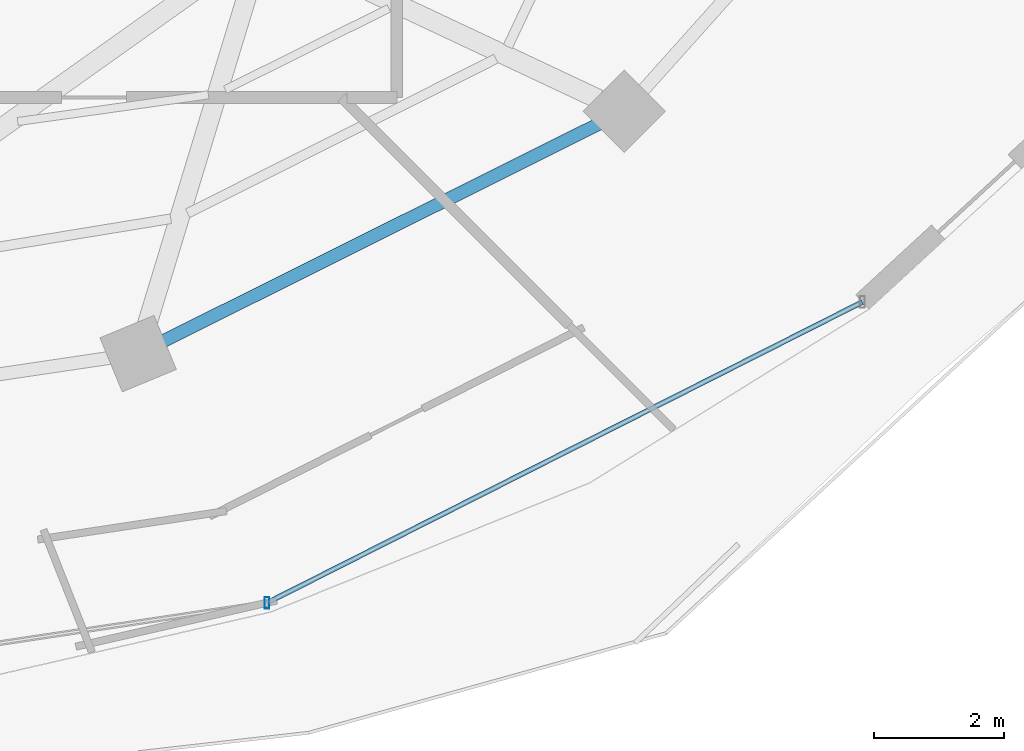
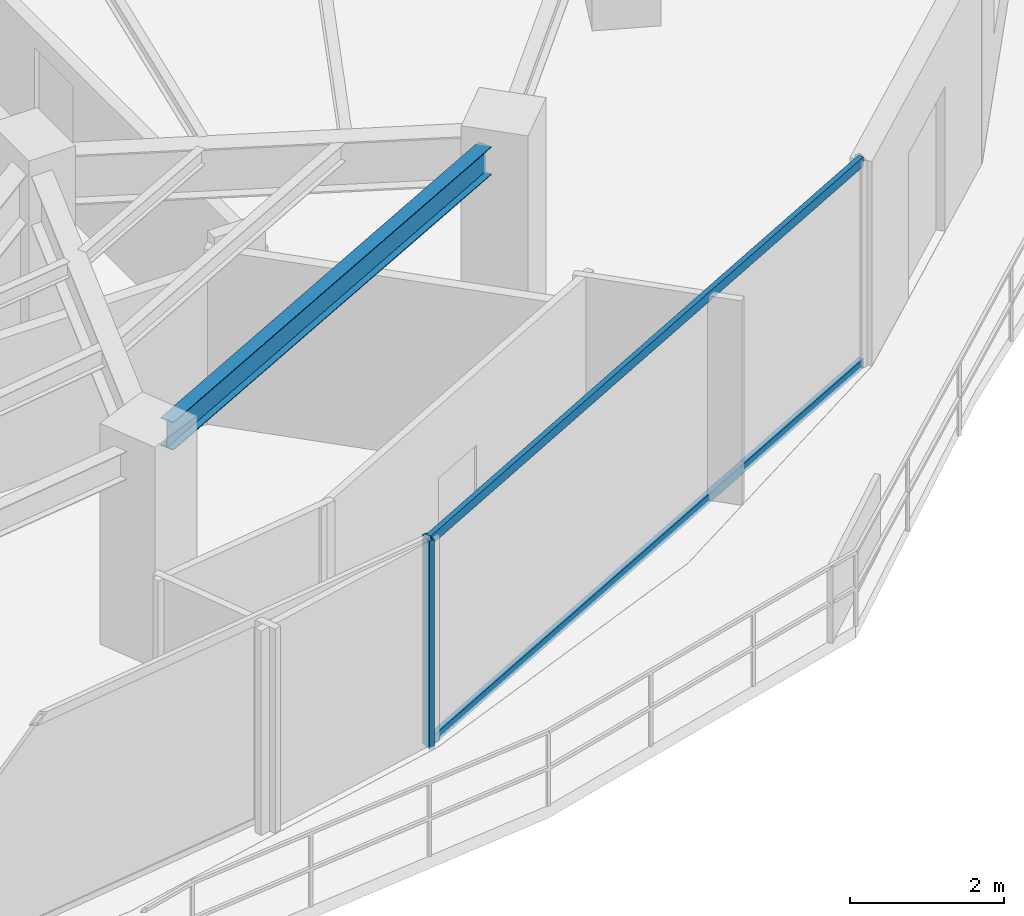
# One storey, part 11 of 33: 3 members, 1 beam, 1 element without a shape of its own.
"""IFC4 building model written with IfcOpenShell, lengths in metres."""

from ifc_helpers import new_model, si_unit, direction, frame, origin, origin_2d, place, context, subcontext, project, spatial, hollow_rectangle, i_section, extrude, material, material_profile, profile_set, type_object, element, aggregate, save


model = new_model("IFC4")

# Units and contexts
model_context = context("Model", 3, precision=1e-05, world=origin(), true_north=direction((0.0, 1.0)))
body_context = subcontext(model_context, "Body", "Model", "MODEL_VIEW")
ifc_project = project(units=[si_unit("LENGTHUNIT", "METRE"), si_unit("AREAUNIT", "SQUARE_METRE"), si_unit("VOLUMEUNIT", "CUBIC_METRE"), si_unit("PLANEANGLEUNIT", "RADIAN"), si_unit("MASSUNIT", "GRAM", prefix="KILO")], contexts=[model_context])

# Site, building, storey
site_placement = place(None, origin())
site = spatial("IfcSite", under=ifc_project, at=site_placement, CompositionType="ELEMENT")
building_placement = place(site_placement, origin())
building = spatial("IfcBuilding", under=site, at=building_placement, Name="Vorneva Point Tower", CompositionType="ELEMENT")
storey_placement = place(building_placement, frame((0.0, 0.0, 196.60009765625)))
storey = spatial("IfcBuildingStorey", under=building, at=storey_placement, Name="L53", CompositionType="ELEMENT", Elevation=196.60009765625)

# Beam
ifc_material_1 = material(Name="Steel S355", Category="steel")
ifc_material_profile_1 = material_profile(ifc_material_1, i_section(OverallWidth=0.198974609375, OverallDepth=0.446044921875, WebThickness=0.008056640625, FlangeThickness=0.011962890625, at=origin_2d()), Name="45B1")
ifc_profile_set_1 = profile_set([ifc_material_profile_1], Name="Steel S355")
beam_type = type_object("IfcBeamType", Name="BM-SPN-45B1", PredefinedType="SPANDREL", material=ifc_profile_set_1)
beam_placement = place(storey_placement, frame((47.210205078125, 10.303466796875, 3.016845703125), z_axis=(0.894922371084, 0.446221861559, 0.0), x_axis=(-0.446221861559, 0.894922371084, 0.0)))
element("IfcBeam", 1, at=beam_placement, inside=storey, type_object=beam_type, Name="L53 Perimeter Spandrel Ring Beam 14", PredefinedType="SPANDREL", context=body_context, shape_type="SweptSolid", body=[
    extrude(i_section(OverallWidth=0.198974609375, OverallDepth=0.446044921875, WebThickness=0.008056640625, FlangeThickness=0.011962890625, at=origin_2d()), origin(), (0.0, 0.0, 1.0), 7.48583984375),
])

# Curtain wall, members
ifc_material_2 = material(Name="Pale anodised aluminium", Category="aluminium")
curtain_wall_type = type_object("IfcCurtainWallType", Name="CW-RES-SYS", PredefinedType="NOTDEFINED", material=ifc_material_2)
curtain_wall_placement = place(storey_placement, origin())
curtain_wall = element("IfcCurtainWall", 2, at=curtain_wall_placement, inside=storey, type_object=curtain_wall_type, Name="L53 Unitised Curtain Wall CW-L53-R04", PredefinedType="NOTDEFINED")
ifc_material_profile_2 = material_profile(ifc_material_2, hollow_rectangle(XDim=0.074951171875, YDim=0.179931640625, WallThickness=0.00390625, at=origin_2d()), Name="AL-MUL 180x75x4")
ifc_profile_set_2 = profile_set([ifc_material_profile_2], Name="Pale anodised aluminium")
member_type_1 = type_object("IfcMemberType", Name="CW-MUL-180", PredefinedType="MULLION", material=ifc_profile_set_2)
member_1_placement = place(storey_placement, frame((48.80322265625, 6.275146484375, -0.0400390625), z_axis=(0.0, 0.0, 1.0), x_axis=(1.0, 0.0, 0.0)))
member_1 = element("IfcMember", 3, at=member_1_placement, type_object=member_type_1, Name="CW-L53-R04 Mullion 04", PredefinedType="MULLION", context=body_context, shape_type="SweptSolid", body=[
    extrude(hollow_rectangle(XDim=0.074951171875, YDim=0.179931640625, WallThickness=0.00390625, at=origin_2d()), origin(), (0.0, 0.0, 1.0), 3.31005859375),
])
ifc_material_profile_3 = material_profile(ifc_material_2, hollow_rectangle(XDim=0.074951171875, YDim=0.14990234375, WallThickness=0.00390625, at=origin_2d()), Name="AL-TRN 150x75x4")
ifc_profile_set_3 = profile_set([ifc_material_profile_3], Name="Pale anodised aluminium")
member_type_2 = type_object("IfcMemberType", Name="CW-TRN-150", PredefinedType="USERDEFINED", material=ifc_profile_set_3)
member_2_placement = place(storey_placement, frame((48.80322265625, 6.275146484375, 0.02001953125), z_axis=(0.892510927709, 0.451025768576, 0.0), x_axis=(-0.451025768576, 0.892510927709, 0.0)))
member_2 = element("IfcMember", 4, at=member_2_placement, type_object=member_type_2, Name="CW-L53-R04 Transom 04.1", ObjectType="TRANSOM", PredefinedType="USERDEFINED", context=body_context, shape_type="SweptSolid", body=[
    extrude(hollow_rectangle(XDim=0.074951171875, YDim=0.14990234375, WallThickness=0.00390625, at=origin_2d()), origin(), (0.0, 0.0, 1.0), 10.261474609375),
])
member_3_placement = place(storey_placement, frame((48.80322265625, 6.275146484375, 3.219970703125), z_axis=(0.892510927709, 0.451025768576, 0.0), x_axis=(-0.451025768576, 0.892510927709, 0.0)))
member_3 = element("IfcMember", 5, at=member_3_placement, type_object=member_type_2, Name="CW-L53-R04 Transom 04.2", ObjectType="TRANSOM", PredefinedType="USERDEFINED", context=body_context, shape_type="SweptSolid", body=[
    extrude(hollow_rectangle(XDim=0.074951171875, YDim=0.14990234375, WallThickness=0.00390625, at=origin_2d()), origin(), (0.0, 0.0, 1.0), 10.261474609375),
])
aggregate(curtain_wall, [member_1, member_2, member_3])

save(model, "model.ifc")
